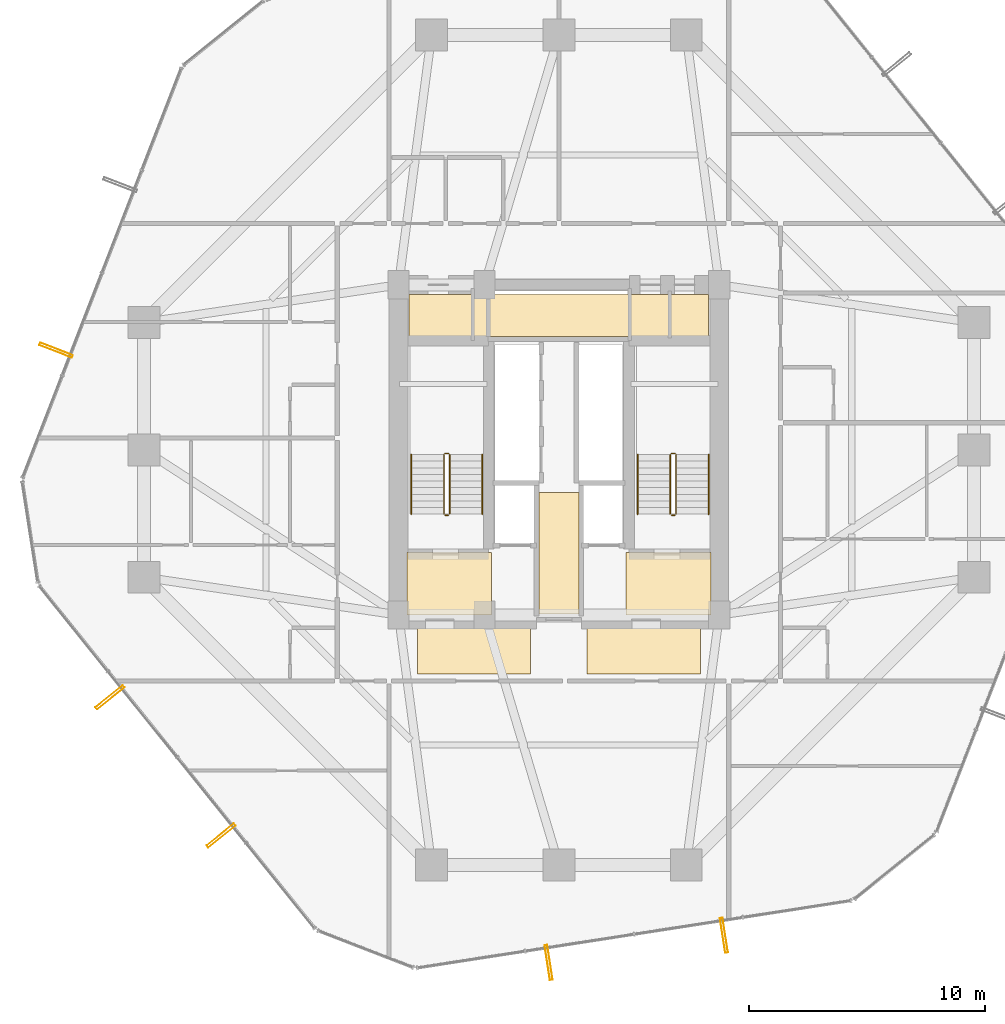
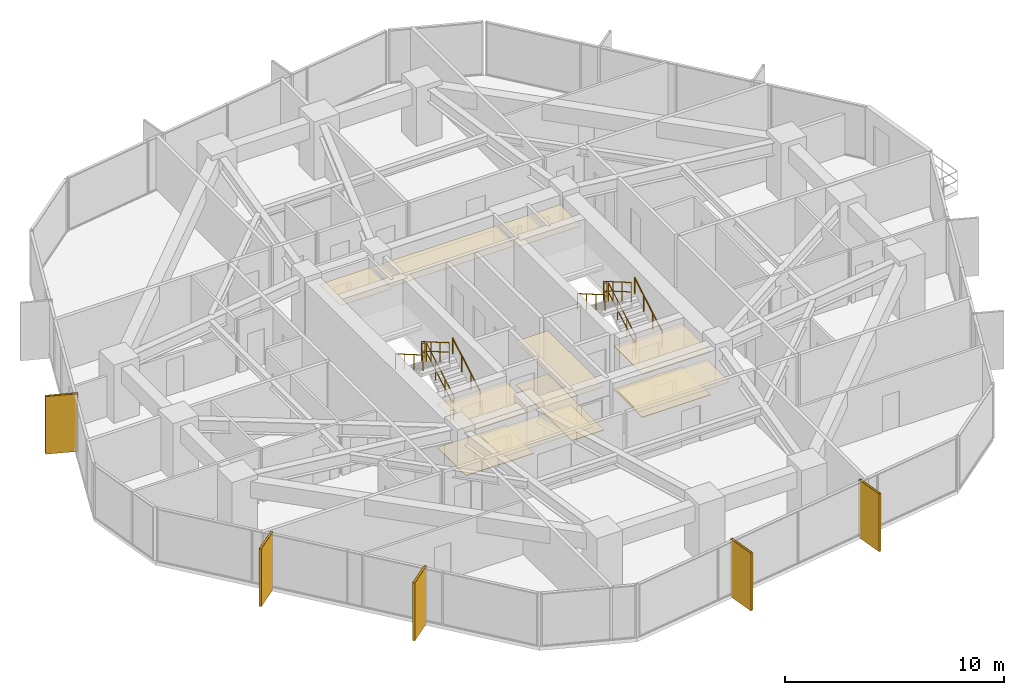
# One storey, part 36 of 37: 12 railings, 11 coverings, 5 shading devices.
"""IFC4 building model written with IfcOpenShell, lengths in metres."""

from ifc_helpers import new_model, si_unit, direction, frame, origin, origin_2d, place, context, subcontext, project, spatial, polyline, hollow_rectangle, circle, outline, extrude, material, layer, layer_set, material_profile, profile_set, type_object, element, save


model = new_model("IFC4")

# Units and contexts
model_context = context("Model", 3, precision=1e-05, world=origin(), true_north=direction((0.0, 1.0)))
body_context = subcontext(model_context, "Body", "Model", "MODEL_VIEW")
ifc_project = project(units=[si_unit("LENGTHUNIT", "METRE"), si_unit("AREAUNIT", "SQUARE_METRE"), si_unit("VOLUMEUNIT", "CUBIC_METRE"), si_unit("PLANEANGLEUNIT", "RADIAN"), si_unit("MASSUNIT", "GRAM", prefix="KILO")], contexts=[model_context])

# Site, building, storey
site_placement = place(None, origin())
site = spatial("IfcSite", under=ifc_project, at=site_placement, CompositionType="ELEMENT")
building_placement = place(site_placement, origin())
building = spatial("IfcBuilding", under=site, at=building_placement, Name="Veraguas Prism Commons", CompositionType="ELEMENT")
storey_placement = place(building_placement, frame((0.0, 0.0, 53.300048828125)))
storey = spatial("IfcBuildingStorey", under=building, at=storey_placement, Name="L14", CompositionType="ELEMENT", Elevation=53.300048828125)

# Shading devices
ifc_material_1 = material(Name="Anodised aluminium EN AW-6063 T6", Category="aluminium")
ifc_material_profile = material_profile(ifc_material_1, hollow_rectangle(XDim=0.1201171875, YDim=1.489990234375, WallThickness=0.006103515625, at=origin_2d()), Name="FIN120X1490X6")
ifc_profile_set = profile_set([ifc_material_profile], Name="Anodised aluminium EN AW-6063 T6")
shading_device_type = type_object("IfcShadingDeviceType", Name="Deep Pale-Metal Vertical Solar Fin 120x1490", PredefinedType="USERDEFINED", material=ifc_profile_set)
for number, where, z_axis, x_axis, name in (
    (1, (2.677978515625, 28.228515625, -0.22998046875), (0.0, 0.0, 1.0), (-0.361297478224, -0.932450605785, 0.0), "Vertical Pale-Metal Solar Fin L14-F3B"),
    (2, (4.9619140625, 13.509033203125, -0.22998046875), (0.0, 0.0, 1.0), (0.626874453633, -0.779120285567, 0.0), "Vertical Pale-Metal Solar Fin L14-F4A"),
    (3, (9.677001953125, 7.648681640625, -0.22998046875), (0.0, 0.0, 1.0), (0.626874453633, -0.779120285567, 0.0), "Vertical Pale-Metal Solar Fin L14-F4B"),
    (4, (23.56640625, 2.26708984375, -0.22998046875), (0.0, 0.0, 1.0), (0.98817491911, 0.153330783737, 0.0), "Vertical Pale-Metal Solar Fin L14-F5A"),
    (5, (30.9990234375, 3.420166015625, -0.22998046875), (0.0, 0.0, 1.0), (0.98817491911, 0.153330783737, 0.0), "Vertical Pale-Metal Solar Fin L14-F5B"),
):
    element("IfcShadingDevice", number, at=place(storey_placement, frame(where, z_axis=z_axis, x_axis=x_axis)), inside=storey, type_object=shading_device_type, Name=name, ObjectType="FIN", PredefinedType="USERDEFINED", context=body_context, shape_type="SweptSolid", body=[
        extrude(hollow_rectangle(XDim=0.1201171875, YDim=1.489990234375, WallThickness=0.006103515625, at=origin_2d()), origin(), (0.0, 0.0, 1.0), 3.219970703125),
    ])

# Coverings
ifc_material_2 = material(Name="Acoustic gypsum board")
ifc_layer_1 = layer(ifc_material_2, 0.02490234375, Name="Perforated Acoustic Ceiling Tile 25")
ifc_layer_set_1 = layer_set([ifc_layer_1], Name="Acoustic gypsum board")
covering_type_1 = type_object("IfcCoveringType", Name="Perforated Acoustic Ceiling Tile 25", PredefinedType="USERDEFINED", material=ifc_layer_set_1)
covering_1_placement = place(storey_placement, frame((0.0, 0.0, 2.425048828125)))
element("IfcCovering", 6, at=covering_1_placement, inside=storey, type_object=covering_type_1, Name="East Lobby Acoustic Ceiling L14", ObjectType="ACOUSTIC CEILING", PredefinedType="USERDEFINED", context=body_context, shape_type="SweptSolid", body=[
    extrude(outline(polyline([(26.85009765625, 17.0), (30.449951171875, 17.0), (30.449951171875, 19.64990234375), (26.85009765625, 19.64990234375), (26.85009765625, 17.0)])), origin(), (0.0, 0.0, 1.0), 0.02490234375),
])
ifc_material_3 = material(Name="Terrazzo stone finish", Category="masonry")
ifc_layer_2 = layer(ifc_material_3, 0.030029296875, Name="Polished Terrazzo Floor Finish 30", Category="masonry")
ifc_layer_set_2 = layer_set([ifc_layer_2], Name="Terrazzo stone finish")
covering_type_2 = type_object("IfcCoveringType", Name="Polished Terrazzo Floor Finish 30", PredefinedType="FLOORING", material=ifc_layer_set_2)
covering_2_placement = place(storey_placement, origin())
element("IfcCovering", 7, at=covering_2_placement, inside=storey, type_object=covering_type_2, Name="Terrazzo Lobby Flooring L14", PredefinedType="FLOORING", context=body_context, shape_type="SweptSolid", body=[
    extrude(outline(polyline([(23.14990234375, 17.050048828125), (24.85009765625, 17.050048828125), (24.85009765625, 22.199951171875), (23.14990234375, 22.199951171875), (23.14990234375, 17.050048828125)])), origin(), (0.0, 0.0, 1.0), 0.030029296875),
])
covering_3_placement = place(storey_placement, origin())
element("IfcCovering", 8, at=covering_3_placement, inside=storey, type_object=covering_type_2, Name="West FF Lobby Terrazzo Flooring L14", PredefinedType="FLOORING", context=body_context, shape_type="SweptSolid", body=[
    extrude(outline(polyline([(17.550048828125, 17.050048828125), (21.14990234375, 17.050048828125), (21.14990234375, 19.64990234375), (17.550048828125, 19.64990234375), (17.550048828125, 17.050048828125)])), origin(), (0.0, 0.0, 1.0), 0.030029296875),
])
covering_4_placement = place(storey_placement, origin())
element("IfcCovering", 9, at=covering_4_placement, inside=storey, type_object=covering_type_2, Name="East FF Lobby Terrazzo Flooring L14", PredefinedType="FLOORING", context=body_context, shape_type="SweptSolid", body=[
    extrude(outline(polyline([(26.85009765625, 17.050048828125), (30.449951171875, 17.050048828125), (30.449951171875, 19.64990234375), (26.85009765625, 19.64990234375), (26.85009765625, 17.050048828125)])), origin(), (0.0, 0.0, 1.0), 0.030029296875),
])

# Railings
ifc_material_4 = material(Name="Stainless steel AISI 316", Category="steel")
railing_type_1 = type_object("IfcRailingType", Name="Stair and Ramp Stainless Handrail 900", PredefinedType="HANDRAIL", material=ifc_material_4)
railing_1_placement = place(storey_placement, frame((20.75, 21.280029296875, 0.162353515625)))
element("IfcRailing", 10, at=railing_1_placement, inside=storey, type_object=railing_type_1, Name="Stair Handrail ST-01 L14-1", PredefinedType="HANDRAIL", context=body_context, shape_type="SweptSolid", body=[
    extrude(circle(Radius=0.02392578125, at=origin_2d()), frame((0.0, 0.0, 0.8759765625), z_axis=(0.0, 0.864876961378, 0.501983905795), x_axis=(-1.0, 0.0, 0.0)), (0.0, 0.0, 1.0), 2.913818359375),
    extrude(circle(Radius=0.02099609375, at=origin_2d()), origin(), (0.0, 0.0, 1.0), 0.851806640625),
    extrude(circle(Radius=0.02099609375, at=origin_2d()), frame((0.0, 0.840087890625, 0.487548828125)), (0.0, 0.0, 1.0), 0.851806640625),
    extrude(circle(Radius=0.02099609375, at=origin_2d()), frame((0.0, 1.679931640625, 0.97509765625)), (0.0, 0.0, 1.0), 0.851806640625),
    extrude(circle(Radius=0.02099609375, at=origin_2d()), frame((0.0, 2.52001953125, 1.462646484375)), (0.0, 0.0, 1.0), 0.851806640625),
])
railing_2_placement = place(storey_placement, frame((17.739990234375, 23.800048828125, 1.787353515625)))
element("IfcRailing", 11, at=railing_2_placement, inside=storey, type_object=railing_type_1, Name="Stair Handrail ST-01 L14-2", PredefinedType="HANDRAIL", context=body_context, shape_type="SweptSolid", body=[
    extrude(circle(Radius=0.02392578125, at=origin_2d()), frame((0.0, 0.0, 0.8759765625), z_axis=(0.0, -0.864876961378, 0.501983905795), x_axis=(1.0, 0.0, 0.0)), (0.0, 0.0, 1.0), 2.913818359375),
    extrude(circle(Radius=0.02099609375, at=origin_2d()), origin(), (0.0, 0.0, 1.0), 0.851806640625),
    extrude(circle(Radius=0.02099609375, at=origin_2d()), frame((0.0, -0.840087890625, 0.487548828125)), (0.0, 0.0, 1.0), 0.851806640625),
    extrude(circle(Radius=0.02099609375, at=origin_2d()), frame((0.0, -1.679931640625, 0.97509765625)), (0.0, 0.0, 1.0), 0.851806640625),
    extrude(circle(Radius=0.02099609375, at=origin_2d()), frame((0.0, -2.52001953125, 1.462646484375)), (0.0, 0.0, 1.0), 0.851806640625),
])
railing_3_placement = place(storey_placement, frame((30.35009765625, 21.280029296875, 0.162353515625)))
element("IfcRailing", 12, at=railing_3_placement, inside=storey, type_object=railing_type_1, Name="Stair Handrail ST-02 L14-1", PredefinedType="HANDRAIL", context=body_context, shape_type="SweptSolid", body=[
    extrude(circle(Radius=0.02392578125, at=origin_2d()), frame((0.0, 0.0, 0.8759765625), z_axis=(0.0, 0.864876961378, 0.501983905795), x_axis=(-1.0, 0.0, 0.0)), (0.0, 0.0, 1.0), 2.913818359375),
    extrude(circle(Radius=0.02099609375, at=origin_2d()), origin(), (0.0, 0.0, 1.0), 0.851806640625),
    extrude(circle(Radius=0.02099609375, at=origin_2d()), frame((0.0, 0.840087890625, 0.487548828125)), (0.0, 0.0, 1.0), 0.851806640625),
    extrude(circle(Radius=0.02099609375, at=origin_2d()), frame((0.0, 1.679931640625, 0.97509765625)), (0.0, 0.0, 1.0), 0.851806640625),
    extrude(circle(Radius=0.02099609375, at=origin_2d()), frame((0.0, 2.52001953125, 1.462646484375)), (0.0, 0.0, 1.0), 0.851806640625),
])
railing_4_placement = place(storey_placement, frame((27.340087890625, 23.800048828125, 1.787353515625)))
element("IfcRailing", 13, at=railing_4_placement, inside=storey, type_object=railing_type_1, Name="Stair Handrail ST-02 L14-2", PredefinedType="HANDRAIL", context=body_context, shape_type="SweptSolid", body=[
    extrude(circle(Radius=0.02392578125, at=origin_2d()), frame((0.0, 0.0, 0.8759765625), z_axis=(0.0, -0.864876961378, 0.501983905795), x_axis=(1.0, 0.0, 0.0)), (0.0, 0.0, 1.0), 2.913818359375),
    extrude(circle(Radius=0.02099609375, at=origin_2d()), origin(), (0.0, 0.0, 1.0), 0.851806640625),
    extrude(circle(Radius=0.02099609375, at=origin_2d()), frame((0.0, -0.840087890625, 0.487548828125)), (0.0, 0.0, 1.0), 0.851806640625),
    extrude(circle(Radius=0.02099609375, at=origin_2d()), frame((0.0, -1.679931640625, 0.97509765625)), (0.0, 0.0, 1.0), 0.851806640625),
    extrude(circle(Radius=0.02099609375, at=origin_2d()), frame((0.0, -2.52001953125, 1.462646484375)), (0.0, 0.0, 1.0), 0.851806640625),
])
railing_type_2 = type_object("IfcRailingType", Name="Stairwell Safety Guardrail 1100", PredefinedType="GUARDRAIL", material=ifc_material_4)
railing_5_placement = place(storey_placement, frame((19.3701171875, 21.280029296875, 0.162353515625)))
element("IfcRailing", 14, at=railing_5_placement, inside=storey, type_object=railing_type_2, Name="Stair Guard ST-01 L14-1", PredefinedType="GUARDRAIL", context=body_context, shape_type="SweptSolid", body=[
    extrude(circle(Radius=0.02392578125, at=origin_2d()), frame((0.0, 0.0, 1.076171875), z_axis=(0.0, 0.864876961378, 0.501983905795), x_axis=(-1.0, 0.0, 0.0)), (0.0, 0.0, 1.0), 2.913818359375),
    extrude(circle(Radius=0.02392578125, at=origin_2d()), frame((0.0, 0.0, 0.550048828125), z_axis=(0.0, 0.864876961378, 0.501983905795), x_axis=(-1.0, 0.0, 0.0)), (0.0, 0.0, 1.0), 2.913818359375),
    extrude(circle(Radius=0.02099609375, at=origin_2d()), origin(), (0.0, 0.0, 1.0), 1.052001953125),
    extrude(circle(Radius=0.02099609375, at=origin_2d()), frame((0.0, 0.840087890625, 0.487548828125)), (0.0, 0.0, 1.0), 1.052001953125),
    extrude(circle(Radius=0.02099609375, at=origin_2d()), frame((0.0, 1.679931640625, 0.97509765625)), (0.0, 0.0, 1.0), 1.052001953125),
    extrude(circle(Radius=0.02099609375, at=origin_2d()), frame((0.0, 2.52001953125, 1.462646484375)), (0.0, 0.0, 1.0), 1.052001953125),
])
railing_6_placement = place(storey_placement, frame((19.320068359375, 23.85009765625, 1.625)))
element("IfcRailing", 15, at=railing_6_placement, inside=storey, type_object=railing_type_2, Name="Stair Guard ST-01 L14-2", PredefinedType="GUARDRAIL", context=body_context, shape_type="SweptSolid", body=[
    extrude(circle(Radius=0.02392578125, at=origin_2d()), frame((0.0, 0.0, 1.076171875), z_axis=(-1.0, 0.0, 0.0), x_axis=(0.0, -1.0, 0.0)), (0.0, 0.0, 1.0), 0.150146484375),
    extrude(circle(Radius=0.02392578125, at=origin_2d()), frame((0.0, 0.0, 0.550048828125), z_axis=(-1.0, 0.0, 0.0), x_axis=(0.0, -1.0, 0.0)), (0.0, 0.0, 1.0), 0.150146484375),
    extrude(circle(Radius=0.02099609375, at=origin_2d()), origin(), (0.0, 0.0, 1.0), 1.052001953125),
    extrude(circle(Radius=0.02099609375, at=origin_2d()), frame((-0.150146484375, 0.0, 0.0)), (0.0, 0.0, 1.0), 1.052001953125),
])
railing_7_placement = place(storey_placement, frame((19.1201171875, 23.800048828125, 1.787353515625)))
element("IfcRailing", 16, at=railing_7_placement, inside=storey, type_object=railing_type_2, Name="Stair Guard ST-01 L14-3", PredefinedType="GUARDRAIL", context=body_context, shape_type="SweptSolid", body=[
    extrude(circle(Radius=0.02392578125, at=origin_2d()), frame((0.0, 0.0, 1.076171875), z_axis=(0.0, -0.864876961378, 0.501983905795), x_axis=(1.0, 0.0, 0.0)), (0.0, 0.0, 1.0), 2.913818359375),
    extrude(circle(Radius=0.02392578125, at=origin_2d()), frame((0.0, 0.0, 0.550048828125), z_axis=(0.0, -0.864876961378, 0.501983905795), x_axis=(1.0, 0.0, 0.0)), (0.0, 0.0, 1.0), 2.913818359375),
    extrude(circle(Radius=0.02099609375, at=origin_2d()), origin(), (0.0, 0.0, 1.0), 1.052001953125),
    extrude(circle(Radius=0.02099609375, at=origin_2d()), frame((0.0, -0.840087890625, 0.487548828125)), (0.0, 0.0, 1.0), 1.052001953125),
    extrude(circle(Radius=0.02099609375, at=origin_2d()), frame((0.0, -1.679931640625, 0.97509765625)), (0.0, 0.0, 1.0), 1.052001953125),
    extrude(circle(Radius=0.02099609375, at=origin_2d()), frame((0.0, -2.52001953125, 1.462646484375)), (0.0, 0.0, 1.0), 1.052001953125),
])
railing_8_placement = place(storey_placement, frame((19.320068359375, 21.22998046875, 0.0)))
element("IfcRailing", 17, at=railing_8_placement, inside=storey, type_object=railing_type_2, Name="Stair Guard ST-01 L14-4", PredefinedType="GUARDRAIL", context=body_context, shape_type="SweptSolid", body=[
    extrude(circle(Radius=0.02392578125, at=origin_2d()), frame((0.0, 0.0, 1.076171875), z_axis=(-1.0, 0.0, 0.0), x_axis=(0.0, -1.0, 0.0)), (0.0, 0.0, 1.0), 0.150146484375),
    extrude(circle(Radius=0.02392578125, at=origin_2d()), frame((0.0, 0.0, 0.550048828125), z_axis=(-1.0, 0.0, 0.0), x_axis=(0.0, -1.0, 0.0)), (0.0, 0.0, 1.0), 0.150146484375),
    extrude(circle(Radius=0.02099609375, at=origin_2d()), origin(), (0.0, 0.0, 1.0), 1.052001953125),
    extrude(circle(Radius=0.02099609375, at=origin_2d()), frame((-0.150146484375, 0.0, 0.0)), (0.0, 0.0, 1.0), 1.052001953125),
])
railing_9_placement = place(storey_placement, frame((28.969970703125, 21.280029296875, 0.162353515625)))
element("IfcRailing", 18, at=railing_9_placement, inside=storey, type_object=railing_type_2, Name="Stair Guard ST-02 L14-1", PredefinedType="GUARDRAIL", context=body_context, shape_type="SweptSolid", body=[
    extrude(circle(Radius=0.02392578125, at=origin_2d()), frame((0.0, 0.0, 1.076171875), z_axis=(0.0, 0.864876961378, 0.501983905795), x_axis=(-1.0, 0.0, 0.0)), (0.0, 0.0, 1.0), 2.913818359375),
    extrude(circle(Radius=0.02392578125, at=origin_2d()), frame((0.0, 0.0, 0.550048828125), z_axis=(0.0, 0.864876961378, 0.501983905795), x_axis=(-1.0, 0.0, 0.0)), (0.0, 0.0, 1.0), 2.913818359375),
    extrude(circle(Radius=0.02099609375, at=origin_2d()), origin(), (0.0, 0.0, 1.0), 1.052001953125),
    extrude(circle(Radius=0.02099609375, at=origin_2d()), frame((0.0, 0.840087890625, 0.487548828125)), (0.0, 0.0, 1.0), 1.052001953125),
    extrude(circle(Radius=0.02099609375, at=origin_2d()), frame((0.0, 1.679931640625, 0.97509765625)), (0.0, 0.0, 1.0), 1.052001953125),
    extrude(circle(Radius=0.02099609375, at=origin_2d()), frame((0.0, 2.52001953125, 1.462646484375)), (0.0, 0.0, 1.0), 1.052001953125),
])
railing_10_placement = place(storey_placement, frame((28.919921875, 23.85009765625, 1.625)))
element("IfcRailing", 19, at=railing_10_placement, inside=storey, type_object=railing_type_2, Name="Stair Guard ST-02 L14-2", PredefinedType="GUARDRAIL", context=body_context, shape_type="SweptSolid", body=[
    extrude(circle(Radius=0.02392578125, at=origin_2d()), frame((0.0, 0.0, 1.076171875), z_axis=(-1.0, 0.0, 0.0), x_axis=(0.0, -1.0, 0.0)), (0.0, 0.0, 1.0), 0.14990234375),
    extrude(circle(Radius=0.02392578125, at=origin_2d()), frame((0.0, 0.0, 0.550048828125), z_axis=(-1.0, 0.0, 0.0), x_axis=(0.0, -1.0, 0.0)), (0.0, 0.0, 1.0), 0.14990234375),
    extrude(circle(Radius=0.02099609375, at=origin_2d()), origin(), (0.0, 0.0, 1.0), 1.052001953125),
    extrude(circle(Radius=0.02099609375, at=origin_2d()), frame((-0.14990234375, 0.0, 0.0)), (0.0, 0.0, 1.0), 1.052001953125),
])
railing_11_placement = place(storey_placement, frame((28.719970703125, 23.800048828125, 1.787353515625)))
element("IfcRailing", 20, at=railing_11_placement, inside=storey, type_object=railing_type_2, Name="Stair Guard ST-02 L14-3", PredefinedType="GUARDRAIL", context=body_context, shape_type="SweptSolid", body=[
    extrude(circle(Radius=0.02392578125, at=origin_2d()), frame((0.0, 0.0, 1.076171875), z_axis=(0.0, -0.864876961378, 0.501983905795), x_axis=(1.0, 0.0, 0.0)), (0.0, 0.0, 1.0), 2.913818359375),
    extrude(circle(Radius=0.02392578125, at=origin_2d()), frame((0.0, 0.0, 0.550048828125), z_axis=(0.0, -0.864876961378, 0.501983905795), x_axis=(1.0, 0.0, 0.0)), (0.0, 0.0, 1.0), 2.913818359375),
    extrude(circle(Radius=0.02099609375, at=origin_2d()), origin(), (0.0, 0.0, 1.0), 1.052001953125),
    extrude(circle(Radius=0.02099609375, at=origin_2d()), frame((0.0, -0.840087890625, 0.487548828125)), (0.0, 0.0, 1.0), 1.052001953125),
    extrude(circle(Radius=0.02099609375, at=origin_2d()), frame((0.0, -1.679931640625, 0.97509765625)), (0.0, 0.0, 1.0), 1.052001953125),
    extrude(circle(Radius=0.02099609375, at=origin_2d()), frame((0.0, -2.52001953125, 1.462646484375)), (0.0, 0.0, 1.0), 1.052001953125),
])
railing_12_placement = place(storey_placement, frame((28.919921875, 21.22998046875, 0.0)))
element("IfcRailing", 21, at=railing_12_placement, inside=storey, type_object=railing_type_2, Name="Stair Guard ST-02 L14-4", PredefinedType="GUARDRAIL", context=body_context, shape_type="SweptSolid", body=[
    extrude(circle(Radius=0.02392578125, at=origin_2d()), frame((0.0, 0.0, 1.076171875), z_axis=(-1.0, 0.0, 0.0), x_axis=(0.0, -1.0, 0.0)), (0.0, 0.0, 1.0), 0.14990234375),
    extrude(circle(Radius=0.02392578125, at=origin_2d()), frame((0.0, 0.0, 0.550048828125), z_axis=(-1.0, 0.0, 0.0), x_axis=(0.0, -1.0, 0.0)), (0.0, 0.0, 1.0), 0.14990234375),
    extrude(circle(Radius=0.02099609375, at=origin_2d()), origin(), (0.0, 0.0, 1.0), 1.052001953125),
    extrude(circle(Radius=0.02099609375, at=origin_2d()), frame((-0.14990234375, 0.0, 0.0)), (0.0, 0.0, 1.0), 1.052001953125),
])

# Coverings
ifc_layer_3 = layer(ifc_material_2, 0.02001953125, Name="Suspended Gypsum Ceiling 20")
ifc_layer_set_3 = layer_set([ifc_layer_3], Name="Acoustic gypsum board")
covering_type_3 = type_object("IfcCoveringType", Name="Suspended Gypsum Ceiling 20", PredefinedType="CEILING", material=ifc_layer_set_3)
covering_5_placement = place(storey_placement, frame((0.0, 0.0, 2.429931640625)))
element("IfcCovering", 22, at=covering_5_placement, inside=storey, type_object=covering_type_3, Name="West Lobby Suspended Gypsum Ceiling L14", PredefinedType="CEILING", context=body_context, shape_type="SweptSolid", body=[
    extrude(outline(polyline([(17.550048828125, 17.0), (21.14990234375, 17.0), (21.14990234375, 19.64990234375), (17.550048828125, 19.64990234375), (17.550048828125, 17.0)])), origin(), (0.0, 0.0, 1.0), 0.02001953125),
])
covering_6_placement = place(storey_placement, frame((0.0, 0.0, 2.429931640625)))
element("IfcCovering", 23, at=covering_6_placement, inside=storey, type_object=covering_type_3, Name="Core Lobby Acoustic Ceiling L14-1", PredefinedType="CEILING", context=body_context, shape_type="SweptSolid", body=[
    extrude(outline(polyline([(18.0, 14.5), (22.800048828125, 14.5), (22.800048828125, 16.550048828125), (18.0, 16.550048828125), (18.0, 14.5)])), origin(), (0.0, 0.0, 1.0), 0.02001953125),
])
covering_7_placement = place(storey_placement, frame((0.0, 0.0, 2.429931640625)))
element("IfcCovering", 24, at=covering_7_placement, inside=storey, type_object=covering_type_3, Name="Core Lobby Acoustic Ceiling L14-2", PredefinedType="CEILING", context=body_context, shape_type="SweptSolid", body=[
    extrude(outline(polyline([(25.199951171875, 14.5), (30.0, 14.5), (30.0, 16.550048828125), (25.199951171875, 16.550048828125), (25.199951171875, 14.5)])), origin(), (0.0, 0.0, 1.0), 0.02001953125),
])
covering_8_placement = place(storey_placement, frame((0.0, 0.0, 2.429931640625)))
element("IfcCovering", 25, at=covering_8_placement, inside=storey, type_object=covering_type_3, Name="Core Lobby Acoustic Ceiling L14-3", PredefinedType="CEILING", context=body_context, shape_type="SweptSolid", body=[
    extrude(outline(polyline([(23.14990234375, 17.050048828125), (24.85009765625, 17.050048828125), (24.85009765625, 22.199951171875), (23.14990234375, 22.199951171875), (23.14990234375, 17.050048828125)])), origin(), (0.0, 0.0, 1.0), 0.02001953125),
])
covering_9_placement = place(storey_placement, frame((0.0, 0.0, 2.429931640625)))
element("IfcCovering", 26, at=covering_9_placement, inside=storey, type_object=covering_type_3, Name="Core Lobby Acoustic Ceiling L14-4", PredefinedType="CEILING", context=body_context, shape_type="SweptSolid", body=[
    extrude(outline(polyline([(17.64990234375, 28.64990234375), (20.300048828125, 28.64990234375), (20.300048828125, 30.60009765625), (17.64990234375, 30.60009765625), (17.64990234375, 28.64990234375)])), origin(), (0.0, 0.0, 1.0), 0.02001953125),
])
covering_10_placement = place(storey_placement, frame((0.0, 0.0, 2.429931640625)))
element("IfcCovering", 27, at=covering_10_placement, inside=storey, type_object=covering_type_3, Name="Core Lobby Acoustic Ceiling L14-5", PredefinedType="CEILING", context=body_context, shape_type="SweptSolid", body=[
    extrude(outline(polyline([(27.050048828125, 28.64990234375), (30.35009765625, 28.64990234375), (30.35009765625, 30.60009765625), (27.050048828125, 30.60009765625), (27.050048828125, 28.64990234375)])), origin(), (0.0, 0.0, 1.0), 0.02001953125),
])
covering_11_placement = place(storey_placement, frame((0.0, 0.0, 2.429931640625)))
element("IfcCovering", 28, at=covering_11_placement, inside=storey, type_object=covering_type_3, Name="Core Lobby Acoustic Ceiling L14-6", PredefinedType="CEILING", context=body_context, shape_type="SweptSolid", body=[
    extrude(outline(polyline([(20.39990234375, 28.800048828125), (26.949951171875, 28.800048828125), (26.949951171875, 30.60009765625), (20.39990234375, 30.60009765625), (20.39990234375, 28.800048828125)])), origin(), (0.0, 0.0, 1.0), 0.02001953125),
])

save(model, "model.ifc")
